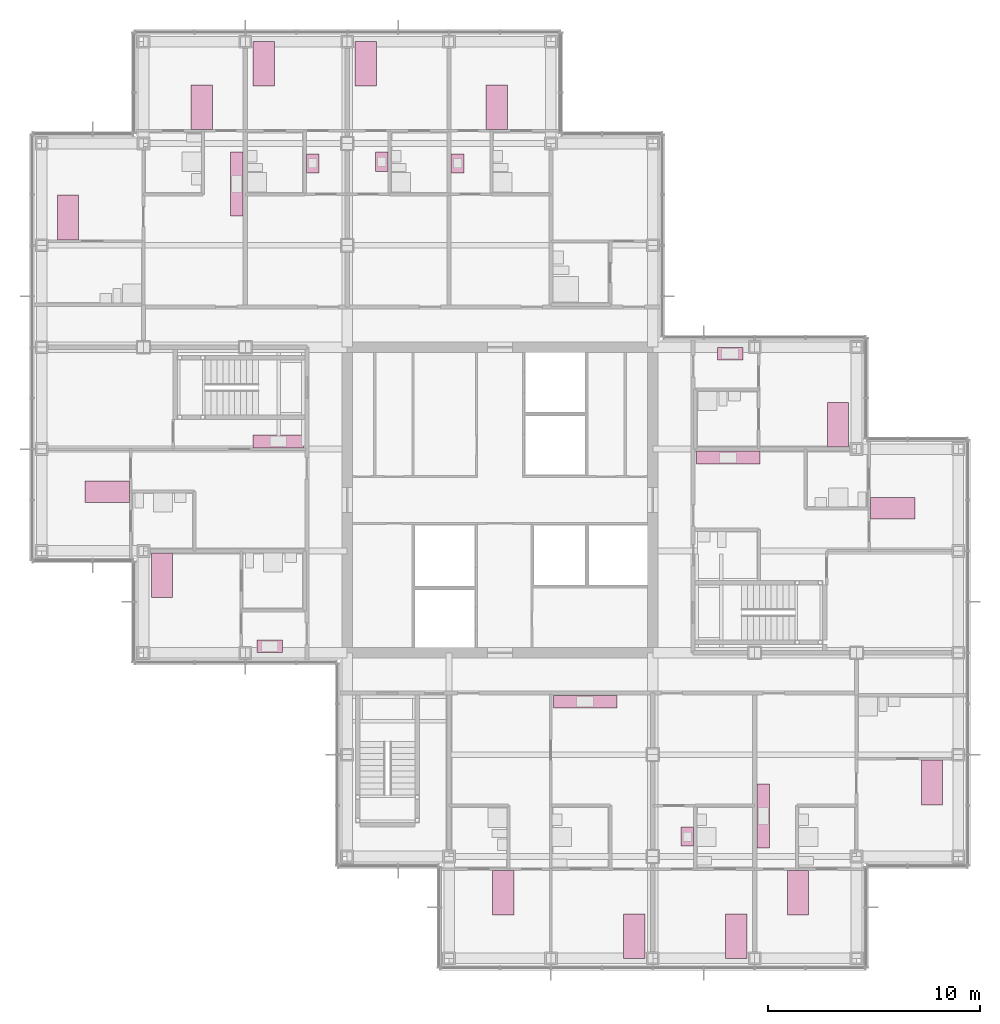
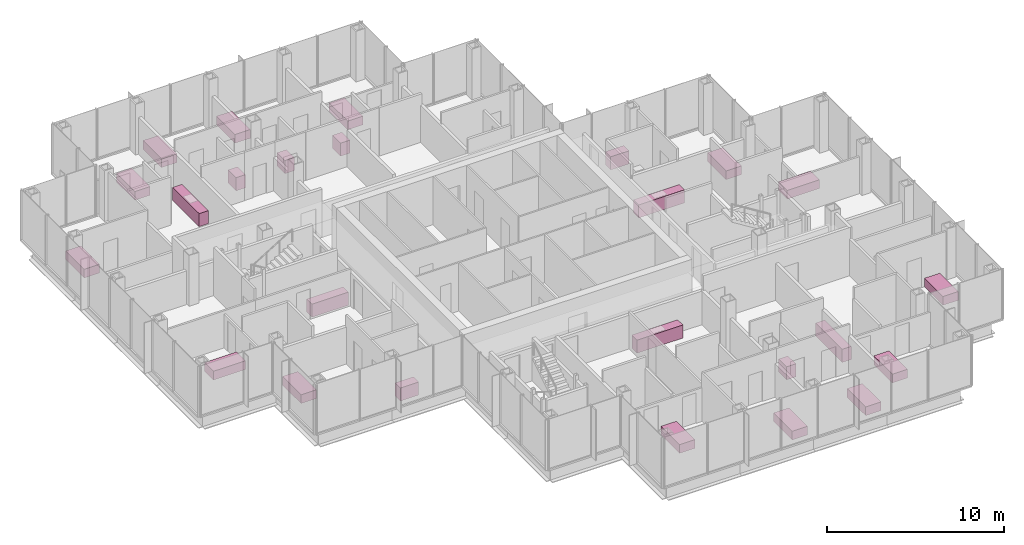
# One storey, part 20 of 20: 25 furniture elements.
"""IFC4 building model written with IfcOpenShell, lengths in metres."""

from ifc_helpers import new_model, si_unit, direction, frame, origin, origin_2d, place, context, subcontext, project, spatial, rectangle, extrude, material, type_object, element, save


model = new_model("IFC4")

# Units and contexts
model_context = context("Model", 3, precision=1e-05, world=origin(), true_north=direction((0.0, 1.0)))
body_context = subcontext(model_context, "Body", "Model", "MODEL_VIEW")
ifc_project = project(units=[si_unit("LENGTHUNIT", "METRE"), si_unit("AREAUNIT", "SQUARE_METRE"), si_unit("VOLUMEUNIT", "CUBIC_METRE"), si_unit("PLANEANGLEUNIT", "RADIAN"), si_unit("MASSUNIT", "GRAM", prefix="KILO")], contexts=[model_context])

# Site, building, storey
site_placement = place(None, origin())
site = spatial("IfcSite", under=ifc_project, at=site_placement, CompositionType="ELEMENT")
building_placement = place(site_placement, origin())
building = spatial("IfcBuilding", under=site, at=building_placement, Name="Kvirike Care Tower", CompositionType="ELEMENT")
storey_placement = place(building_placement, frame((0.0, 0.0, 119.0)))
storey = spatial("IfcBuildingStorey", under=building, at=storey_placement, Name="L32", CompositionType="ELEMENT", Elevation=119.0)

# Furniture
ifc_material_1 = material(Name="Steel frame", Category="steel")
furniture_type_1 = type_object("IfcFurnitureType", Name="CARE BED 1000 x 2100", AssemblyPlace="FACTORY", PredefinedType="BED", material=ifc_material_1)
for number, where, z_axis, x_axis, name in (
    (1, (3.087890625, 36.389892578125, 0.0), (0.0, 0.0, 1.0), (0.0, -1.0, 0.0), "Care bed L32-004"),
    (2, (5.669921875, 32.447998046875, 0.0), (0.0, 0.0, 1.0), (1.0, 0.0, 0.0), "Care bed L32-008"),
    (3, (10.469970703125, 56.548095703125, 0.0), (0.0, 0.0, 1.0), (1.0, 0.0, 0.0), "Care bed L32-012"),
    (4, (7.550048828125, 54.511962890625, 0.0), (0.0, 0.0, 1.0), (-1.0, 0.0, 0.0), "Care bed L32-016"),
    (5, (1.239990234375, 49.31201171875, 0.0), (0.0, 0.0, 1.0), (-1.0, 0.0, 0.0), "Care bed L32-017"),
    (6, (21.75, 17.488037109375, 0.0), (0.0, 0.0, 1.0), (1.0, 0.0, 0.0), "Care bed L32-024"),
    (7, (27.929931640625, 15.451904296875, 0.0), (0.0, 0.0, 1.0), (-1.0, 0.0, 0.0), "Care bed L32-025"),
    (8, (21.449951171875, 54.511962890625, 0.0), (0.0, 0.0, 1.0), (-1.0, 0.0, 0.0), "Care bed L32-034"),
    (9, (15.27001953125, 56.548095703125, 0.0), (0.0, 0.0, 1.0), (1.0, 0.0, 0.0), "Care bed L32-038"),
    (10, (32.72998046875, 15.451904296875, 0.0), (0.0, 0.0, 1.0), (-1.0, 0.0, 0.0), "Care bed L32-043"),
    (11, (35.64990234375, 17.488037109375, 0.0), (0.0, 0.0, 1.0), (1.0, 0.0, 0.0), "Care bed L32-047"),
    (12, (41.9599609375, 22.68798828125, 0.0), (0.0, 0.0, 1.0), (1.0, 0.0, 0.0), "Care bed L32-048"),
    (13, (40.112060546875, 35.610107421875, 0.0), (0.0, 0.0, 1.0), (0.0, 1.0, 0.0), "Care bed L32-055"),
    (14, (37.530029296875, 39.552001953125, 0.0), (0.0, 0.0, 1.0), (-1.0, 0.0, 0.0), "Care bed L32-059"),
):
    element("IfcFurniture", number, at=place(storey_placement, frame(where, z_axis=z_axis, x_axis=x_axis)), inside=storey, type_object=furniture_type_1, Name=name, PredefinedType="BED", context=body_context, shape_type="SweptSolid", body=[
        extrude(rectangle(XDim=1.0, YDim=2.10009765625, at=origin_2d()), origin(), (0.0, 0.0, 1.0), 0.60009765625),
    ])
ifc_material_2 = material(Name="Laminated board", Category="wood")
furniture_type_2 = type_object("IfcFurnitureType", Name="KITCHEN UNIT RUN 600", AssemblyPlace="FACTORY", PredefinedType="USERDEFINED", material=ifc_material_2)
furniture_1_placement = place(storey_placement, frame((11.14990234375, 38.761962890625, 0.0), z_axis=(0.0, 0.0, 1.0), x_axis=(-1.0, 0.0, 0.0)))
element("IfcFurniture", 15, at=furniture_1_placement, inside=storey, type_object=furniture_type_2, Name="Kitchen unit run L32-006", ObjectType="KITCHEN UNIT", PredefinedType="USERDEFINED", context=body_context, shape_type="SweptSolid", body=[
    extrude(rectangle(XDim=2.39990234375, YDim=0.60009765625, at=origin_2d()), origin(), (0.0, 0.0, 1.0), 0.89990234375),
])
furniture_2_placement = place(storey_placement, frame((10.75, 29.10205078125, 0.0), z_axis=(0.0, 0.0, 1.0), x_axis=(-1.0, 0.0, 0.0)))
element("IfcFurniture", 16, at=furniture_2_placement, inside=storey, type_object=furniture_type_2, Name="Kitchen unit run L32-010", ObjectType="KITCHEN UNIT", PredefinedType="USERDEFINED", context=body_context, shape_type="SweptSolid", body=[
    extrude(rectangle(XDim=1.199951171875, YDim=0.60009765625, at=origin_2d()), origin(), (0.0, 0.0, 1.0), 0.89990234375),
])
furniture_3_placement = place(storey_placement, frame((12.777099609375, 51.860107421875, 0.0), z_axis=(0.0, 0.0, 1.0), x_axis=(0.0, 1.0, 0.0)))
element("IfcFurniture", 17, at=furniture_3_placement, inside=storey, type_object=furniture_type_2, Name="Kitchen unit run L32-014", ObjectType="KITCHEN UNIT", PredefinedType="USERDEFINED", context=body_context, shape_type="SweptSolid", body=[
    extrude(rectangle(XDim=0.89990234375, YDim=0.60009765625, at=origin_2d()), origin(), (0.0, 0.0, 1.0), 0.89990234375),
])
for number, where, z_axis, x_axis, name in (
    (18, (9.197998046875, 50.889892578125, 0.0), (0.0, 0.0, 1.0), (0.0, -1.0, 0.0), "Kitchen unit run L32-020"),
    (19, (25.610107421875, 26.498046875, 0.0), (0.0, 0.0, 1.0), (1.0, 0.0, 0.0), "Kitchen unit run L32-029"),
):
    element("IfcFurniture", number, at=place(storey_placement, frame(where, z_axis=z_axis, x_axis=x_axis)), inside=storey, type_object=furniture_type_2, Name=name, ObjectType="KITCHEN UNIT", PredefinedType="USERDEFINED", context=body_context, shape_type="SweptSolid", body=[
        extrude(rectangle(XDim=3.0, YDim=0.60009765625, at=origin_2d()), origin(), (0.0, 0.0, 1.0), 0.89990234375),
    ])
for number, where, z_axis, x_axis, name in (
    (20, (19.60205078125, 51.860107421875, 0.0), (0.0, 0.0, 1.0), (0.0, 1.0, 0.0), "Kitchen unit run L32-036"),
    (21, (16.02294921875, 51.93994140625, 0.0), (0.0, 0.0, 1.0), (0.0, -1.0, 0.0), "Kitchen unit run L32-040"),
    (22, (30.423095703125, 20.139892578125, 0.0), (0.0, 0.0, 1.0), (0.0, -1.0, 0.0), "Kitchen unit run L32-045"),
):
    element("IfcFurniture", number, at=place(storey_placement, frame(where, z_axis=z_axis, x_axis=x_axis)), inside=storey, type_object=furniture_type_2, Name=name, ObjectType="KITCHEN UNIT", PredefinedType="USERDEFINED", context=body_context, shape_type="SweptSolid", body=[
        extrude(rectangle(XDim=0.89990234375, YDim=0.60009765625, at=origin_2d()), origin(), (0.0, 0.0, 1.0), 0.89990234375),
    ])
for number, where, z_axis, x_axis, name in (
    (23, (34.001953125, 21.110107421875, 0.0), (0.0, 0.0, 1.0), (0.0, 1.0, 0.0), "Kitchen unit run L32-051"),
    (24, (32.35009765625, 37.998046875, 0.0), (0.0, 0.0, 1.0), (1.0, 0.0, 0.0), "Kitchen unit run L32-058"),
):
    element("IfcFurniture", number, at=place(storey_placement, frame(where, z_axis=z_axis, x_axis=x_axis)), inside=storey, type_object=furniture_type_2, Name=name, ObjectType="KITCHEN UNIT", PredefinedType="USERDEFINED", context=body_context, shape_type="SweptSolid", body=[
        extrude(rectangle(XDim=3.0, YDim=0.60009765625, at=origin_2d()), origin(), (0.0, 0.0, 1.0), 0.89990234375),
    ])
furniture_4_placement = place(storey_placement, frame((32.449951171875, 42.89794921875, 0.0), z_axis=(0.0, 0.0, 1.0), x_axis=(1.0, 0.0, 0.0)))
element("IfcFurniture", 25, at=furniture_4_placement, inside=storey, type_object=furniture_type_2, Name="Kitchen unit run L32-061", ObjectType="KITCHEN UNIT", PredefinedType="USERDEFINED", context=body_context, shape_type="SweptSolid", body=[
    extrude(rectangle(XDim=1.199951171875, YDim=0.60009765625, at=origin_2d()), origin(), (0.0, 0.0, 1.0), 0.89990234375),
])

save(model, "model.ifc")
